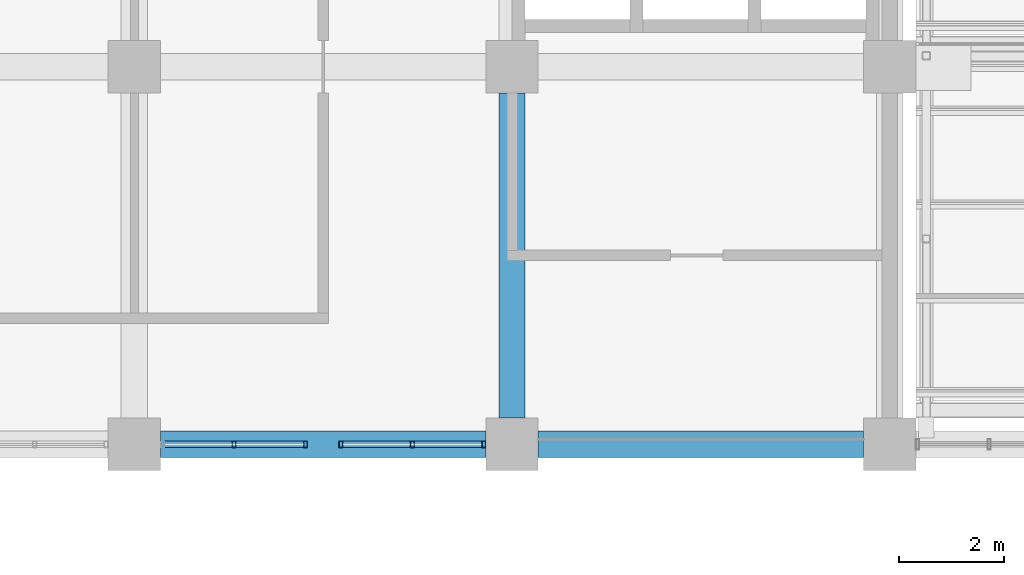
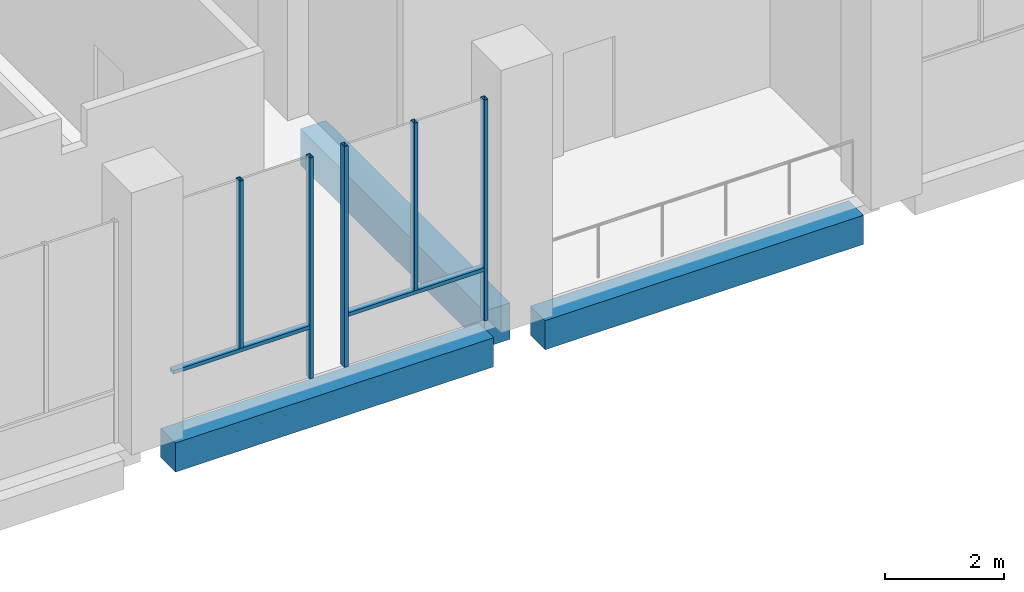
# One storey, part 22 of 83: 7 members, 3 beams, 2 elements without a shape of their own.
"""IFC4 building model written with IfcOpenShell, lengths in metres."""

from ifc_helpers import new_model, si_unit, direction, frame, origin, origin_2d, place, context, subcontext, project, spatial, rectangle, hollow_rectangle, extrude, material, material_profile, profile_set, type_object, element, aggregate, save


model = new_model("IFC4")

# Units and contexts
model_context = context("Model", 3, precision=1e-05, world=origin(), true_north=direction((0.0, 1.0)))
body_context = subcontext(model_context, "Body", "Model", "MODEL_VIEW")
ifc_project = project(units=[si_unit("LENGTHUNIT", "METRE"), si_unit("AREAUNIT", "SQUARE_METRE"), si_unit("VOLUMEUNIT", "CUBIC_METRE"), si_unit("PLANEANGLEUNIT", "RADIAN"), si_unit("MASSUNIT", "GRAM", prefix="KILO")], contexts=[model_context])

# Site, building, storey
site_placement = place(None, origin())
site = spatial("IfcSite", under=ifc_project, at=site_placement, CompositionType="ELEMENT")
building_placement = place(site_placement, origin())
building = spatial("IfcBuilding", under=site, at=building_placement, Name="Silangan Lancet Faculty of Sciences", CompositionType="ELEMENT")
storey_placement = place(building_placement, frame((0.0, 0.0, 11.39990234375)))
storey = spatial("IfcBuildingStorey", under=building, at=storey_placement, Name="L02", CompositionType="ELEMENT", Elevation=11.39990234375)

# Beams
ifc_material_1 = material(Name="Concrete C40/50", Category="concrete")
ifc_material_profile_1 = material_profile(ifc_material_1, rectangle(XDim=0.5, YDim=0.60009765625, at=origin_2d()), Name="RC 500x600")
ifc_profile_set_1 = profile_set([ifc_material_profile_1], Name="Concrete C40/50")
beam_type_1 = type_object("IfcBeamType", Name="BEAM RC 500x600", PredefinedType="BEAM", material=ifc_profile_set_1)
beam_1_placement = place(storey_placement, frame((14.89990234375, 36.0, -0.5498046875), z_axis=(1.0, 0.0, 0.0), x_axis=(0.0, 1.0, 0.0)))
element("IfcBeam", 1, at=beam_1_placement, inside=storey, type_object=beam_type_1, Name="BM-L02-3F-4F", PredefinedType="BEAM", context=body_context, shape_type="SweptSolid", body=[
    extrude(rectangle(XDim=0.5, YDim=0.60009765625, at=origin_2d()), origin(), (0.0, 0.0, 1.0), 6.2001953125),
])
beam_2_placement = place(storey_placement, frame((22.10009765625, 36.0, -0.5498046875), z_axis=(1.0, 0.0, 0.0), x_axis=(0.0, 1.0, 0.0)))
element("IfcBeam", 2, at=beam_2_placement, inside=storey, type_object=beam_type_1, Name="BM-L02-4F-5F", PredefinedType="BEAM", context=body_context, shape_type="SweptSolid", body=[
    extrude(rectangle(XDim=0.5, YDim=0.60009765625, at=origin_2d()), origin(), (0.0, 0.0, 1.0), 6.199951171875),
])
ifc_material_2 = material(Name="Concrete C40/50", Category="concrete")
ifc_material_profile_2 = material_profile(ifc_material_2, rectangle(XDim=0.5, YDim=0.75, at=origin_2d()), Name="RC 500x750")
ifc_profile_set_2 = profile_set([ifc_material_profile_2], Name="Concrete C40/50")
beam_type_2 = type_object("IfcBeamType", Name="BEAM RC 500x750", PredefinedType="BEAM", material=ifc_profile_set_2)
beam_3_placement = place(storey_placement, frame((21.60009765625, 36.5, -0.625), z_axis=(0.0, 1.0, 0.0), x_axis=(-1.0, 0.0, 0.0)))
element("IfcBeam", 3, at=beam_3_placement, inside=storey, type_object=beam_type_2, Name="BM-L02-4F-4G", PredefinedType="BEAM", context=body_context, shape_type="SweptSolid", body=[
    extrude(rectangle(XDim=0.5, YDim=0.75, at=origin_2d()), origin(), (0.0, 0.0, 1.0), 6.199951171875),
])

# Curtain wall, members
ifc_material_3 = material(Name="Aluminium framed curtain wall with insulated glass", Category="aluminium")
curtain_wall_type = type_object("IfcCurtainWallType", Name="CW2 Atrium fire-resisting screen", PredefinedType="NOTDEFINED", material=ifc_material_3)
curtain_wall_1_placement = place(storey_placement, origin())
curtain_wall_1 = element("IfcCurtainWall", 4, at=curtain_wall_1_placement, inside=storey, type_object=curtain_wall_type, Name="CW2 Atrium north L02 bay 5", PredefinedType="NOTDEFINED")
ifc_material_4 = material(Name="Steel S355J2H", Category="steel")
ifc_material_profile_3 = material_profile(ifc_material_4, hollow_rectangle(XDim=0.074951171875, YDim=0.125, WallThickness=0.0048828125, at=origin_2d()), Name="ST BOX 75x125x5")
ifc_profile_set_3 = profile_set([ifc_material_profile_3], Name="Steel S355J2H")
member_type_1 = type_object("IfcMemberType", Name="CM2 Mullion 75x125", PredefinedType="MULLION", material=ifc_profile_set_3)
member_1_placement = place(storey_placement, frame((17.66259765625, 36.0, 0.0), z_axis=(0.0, 0.0, 1.0), x_axis=(1.0, 0.0, 0.0)))
member_1 = element("IfcMember", 5, at=member_1_placement, type_object=member_type_1, Name="CW2 Atrium north L02 bay 5 mullion 2", PredefinedType="MULLION", context=body_context, shape_type="SweptSolid", body=[
    extrude(hollow_rectangle(XDim=0.074951171875, YDim=0.125, WallThickness=0.0048828125, at=origin_2d()), origin(), (0.0, 0.0, 1.0), 4.550048828125),
])
member_2_placement = place(storey_placement, frame((16.300048828125, 36.0, 1.10009765625), z_axis=(0.0, 0.0, 1.0), x_axis=(1.0, 0.0, 0.0)))
member_2 = element("IfcMember", 6, at=member_2_placement, type_object=member_type_1, Name="CW2 Atrium north L02 bay 5 mullion 3", PredefinedType="MULLION", context=body_context, shape_type="SweptSolid", body=[
    extrude(hollow_rectangle(XDim=0.074951171875, YDim=0.125, WallThickness=0.0048828125, at=origin_2d()), origin(), (0.0, 0.0, 1.0), 3.449951171875),
])

curtain_wall_2_placement = place(storey_placement, origin())
curtain_wall_2 = element("IfcCurtainWall", 7, at=curtain_wall_2_placement, inside=storey, type_object=curtain_wall_type, Name="CW2 Atrium north L02 bay 6", PredefinedType="NOTDEFINED")
member_3_placement = place(storey_placement, frame((18.33740234375, 36.0, 0.0), z_axis=(0.0, 0.0, 1.0), x_axis=(1.0, 0.0, 0.0)))
member_3 = element("IfcMember", 8, at=member_3_placement, type_object=member_type_1, Name="CW2 Atrium north L02 bay 6 mullion 1", PredefinedType="MULLION", context=body_context, shape_type="SweptSolid", body=[
    extrude(hollow_rectangle(XDim=0.074951171875, YDim=0.125, WallThickness=0.0048828125, at=origin_2d()), origin(), (0.0, 0.0, 1.0), 4.550048828125),
])
member_4_placement = place(storey_placement, frame((21.0625, 36.0, 0.0), z_axis=(0.0, 0.0, 1.0), x_axis=(1.0, 0.0, 0.0)))
member_4 = element("IfcMember", 9, at=member_4_placement, type_object=member_type_1, Name="CW2 Atrium north L02 bay 6 mullion 2", PredefinedType="MULLION", context=body_context, shape_type="SweptSolid", body=[
    extrude(hollow_rectangle(XDim=0.074951171875, YDim=0.125, WallThickness=0.0048828125, at=origin_2d()), origin(), (0.0, 0.0, 1.0), 4.550048828125),
])
member_5_placement = place(storey_placement, frame((19.699951171875, 36.0, 1.10009765625), z_axis=(0.0, 0.0, 1.0), x_axis=(1.0, 0.0, 0.0)))
member_5 = element("IfcMember", 10, at=member_5_placement, type_object=member_type_1, Name="CW2 Atrium north L02 bay 6 mullion 3", PredefinedType="MULLION", context=body_context, shape_type="SweptSolid", body=[
    extrude(hollow_rectangle(XDim=0.074951171875, YDim=0.125, WallThickness=0.0048828125, at=origin_2d()), origin(), (0.0, 0.0, 1.0), 3.449951171875),
])

# Member
ifc_material_5 = material(Name="Steel S355J2H", Category="steel")
ifc_material_profile_4 = material_profile(ifc_material_5, hollow_rectangle(XDim=0.125, YDim=0.074951171875, WallThickness=0.0048828125, at=origin_2d()), Name="ST BOX 125x75x5")
ifc_profile_set_4 = profile_set([ifc_material_profile_4], Name="Steel S355J2H")
member_type_2 = type_object("IfcMemberType", Name="CT2 Transom 125x75", PredefinedType="USERDEFINED", material=ifc_profile_set_4)
member_6_placement = place(storey_placement, frame((14.97509765625, 36.0, 1.0625), z_axis=(1.0, 0.0, 0.0), x_axis=(0.0, 1.0, 0.0)))
member_6 = element("IfcMember", 11, at=member_6_placement, type_object=member_type_2, Name="CW2 Atrium north L02 bay 5 transom 1", ObjectType="TRANSOM", PredefinedType="USERDEFINED", context=body_context, shape_type="SweptSolid", body=[
    extrude(hollow_rectangle(XDim=0.125, YDim=0.074951171875, WallThickness=0.0048828125, at=origin_2d()), origin(), (0.0, 0.0, 1.0), 2.64990234375),
])

aggregate(curtain_wall_1, [member_1, member_2, member_6])

member_7_placement = place(storey_placement, frame((18.375, 36.0, 1.0625), z_axis=(1.0, 0.0, 0.0), x_axis=(0.0, 1.0, 0.0)))
member_7 = element("IfcMember", 12, at=member_7_placement, type_object=member_type_2, Name="CW2 Atrium north L02 bay 6 transom 1", ObjectType="TRANSOM", PredefinedType="USERDEFINED", context=body_context, shape_type="SweptSolid", body=[
    extrude(hollow_rectangle(XDim=0.125, YDim=0.074951171875, WallThickness=0.0048828125, at=origin_2d()), origin(), (0.0, 0.0, 1.0), 2.64990234375),
])

aggregate(curtain_wall_2, [member_3, member_4, member_5, member_7])

save(model, "model.ifc")
